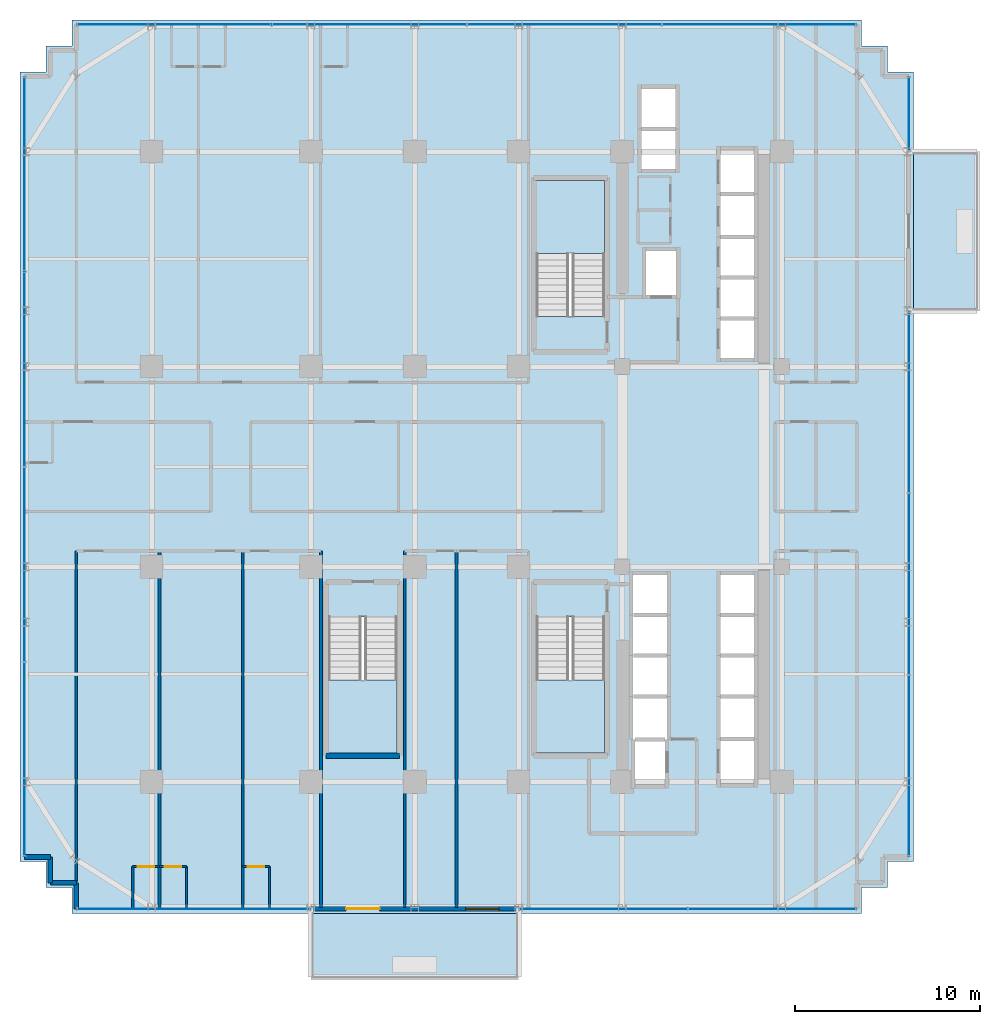
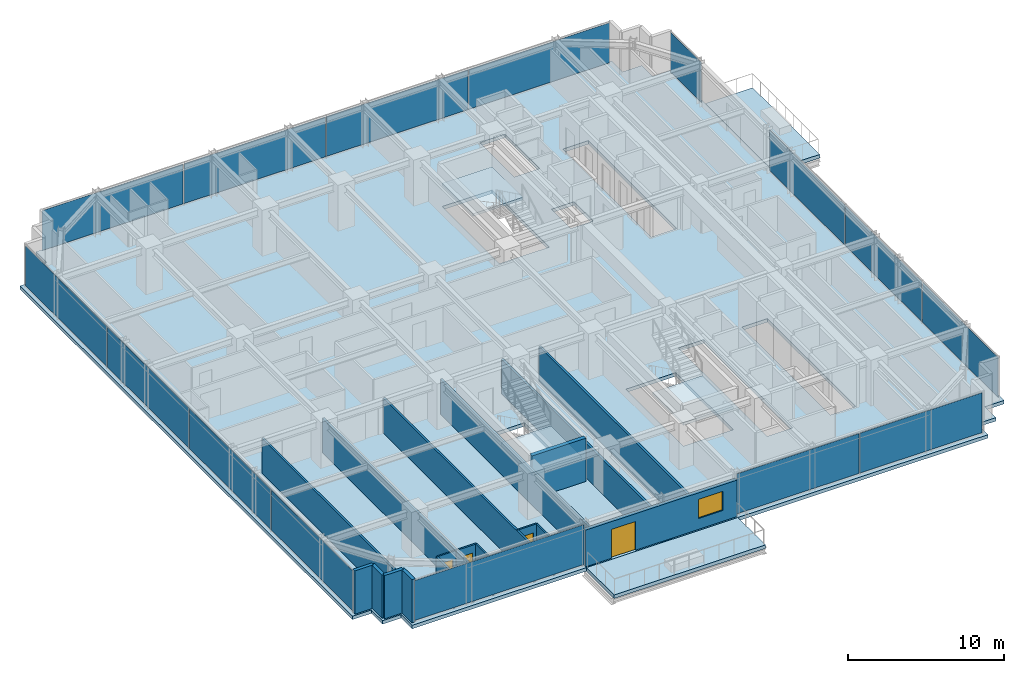
# One storey, part 26 of 33: 18 walls, 15 plates, 6 slabs, 4 doors, 1 window, 5 openings, 9 elements without a shape of their own.
"""IFC4 building model written with IfcOpenShell, lengths in metres."""

from ifc_helpers import new_model, si_unit, direction, frame, frame_2d, origin, origin_2d, place, context, subcontext, project, spatial, polyline, rectangle, outline, extrude, source, transform, mapped, material, layer, layer_set, type_object, element, fill, aggregate, save


model = new_model("IFC4")

# Units and contexts
model_context = context("Model", 3, precision=1e-05, world=origin(), true_north=direction((0.0, 1.0)))
body_context = subcontext(model_context, "Body", "Model", "MODEL_VIEW")
ifc_project = project(units=[si_unit("LENGTHUNIT", "METRE"), si_unit("AREAUNIT", "SQUARE_METRE"), si_unit("VOLUMEUNIT", "CUBIC_METRE"), si_unit("PLANEANGLEUNIT", "RADIAN"), si_unit("MASSUNIT", "GRAM", prefix="KILO")], contexts=[model_context])

# Site, building, storey
site_placement = place(None, origin())
site = spatial("IfcSite", under=ifc_project, at=site_placement, CompositionType="ELEMENT")
building_placement = place(site_placement, origin())
building = spatial("IfcBuilding", under=site, at=building_placement, Name="Nahalor Promenade Grand Hotel", CompositionType="ELEMENT")
storey_placement = place(building_placement, frame((0.0, 0.0, 117.5)))
storey = spatial("IfcBuildingStorey", under=building, at=storey_placement, Name="L29", CompositionType="ELEMENT", Elevation=117.5)

# Stair, slab
ifc_material_1 = material(Name="Concrete B-50 (C40/50)", Category="concrete")
stair_type_1 = type_object("IfcStairType", Name="Stair-ST1", PredefinedType="HALF_TURN_STAIR", material=ifc_material_1)
stair_1_placement = place(storey_placement, origin())
stair_1 = element("IfcStair", 1, at=stair_1_placement, inside=storey, type_object=stair_type_1, Name="L29 ST1", PredefinedType="HALF_TURN_STAIR")
ifc_layer_1 = layer(ifc_material_1, 0.199951171875)
ifc_layer_set_1 = layer_set([ifc_layer_1], Name="Concrete B-50 (C40/50)")
slab_type_1 = type_object("IfcSlabType", Name="Landing-ST1", PredefinedType="LANDING", material=ifc_layer_set_1)
slab_1_placement = place(storey_placement, frame((0.0, 0.0, 1.625)))
slab_1 = element("IfcSlab", 2, at=slab_1_placement, type_object=slab_type_1, Name="ST1 landing 1", PredefinedType="LANDING", context=body_context, shape_type="SweptSolid", body=[
    extrude(outline(polyline([(7.449951171875, 11.5), (7.449951171875, 15.449951171875), (3.75, 15.449951171875), (3.75, 11.5), (7.449951171875, 11.5)])), origin(), (0.0, 0.0, 1.0), 0.199951171875),
])
aggregate(stair_1, [slab_1])

stair_type_2 = type_object("IfcStairType", Name="Stair-ST2", PredefinedType="HALF_TURN_STAIR", material=ifc_material_1)
stair_2_placement = place(storey_placement, origin())
stair_2 = element("IfcStair", 3, at=stair_2_placement, inside=storey, type_object=stair_type_2, Name="L29 ST2", PredefinedType="HALF_TURN_STAIR")
ifc_layer_2 = layer(ifc_material_1, 0.2099609375)
ifc_layer_set_2 = layer_set([ifc_layer_2], Name="Concrete B-50 (C40/50)")
slab_type_2 = type_object("IfcSlabType", Name="Landing-ST2", PredefinedType="LANDING", material=ifc_layer_set_2)
slab_2_placement = place(storey_placement, frame((0.0, 0.0, 1.614990234375)))
slab_2 = element("IfcSlab", 4, at=slab_2_placement, type_object=slab_type_2, Name="ST2 landing 1", PredefinedType="LANDING", context=body_context, shape_type="SweptSolid", body=[
    extrude(outline(polyline([(3.75, -11.5), (3.75, -15.449951171875), (7.449951171875, -15.449951171875), (7.449951171875, -11.5), (3.75, -11.5)])), origin(), (0.0, 0.0, 1.0), 0.2099609375),
])
aggregate(stair_2, [slab_2])

stair_type_3 = type_object("IfcStairType", Name="Stair-ST3", PredefinedType="HALF_TURN_STAIR", material=ifc_material_1)
stair_3_placement = place(storey_placement, origin())
stair_3 = element("IfcStair", 5, at=stair_3_placement, inside=storey, type_object=stair_type_3, Name="L29 ST3", PredefinedType="HALF_TURN_STAIR")
ifc_layer_3 = layer(ifc_material_1, 0.219970703125)
ifc_layer_set_3 = layer_set([ifc_layer_3], Name="Concrete B-50 (C40/50)")
slab_type_3 = type_object("IfcSlabType", Name="Landing-ST3", PredefinedType="LANDING", material=ifc_layer_set_3)
slab_3_placement = place(storey_placement, frame((0.0, 0.0, 1.60498046875)))
slab_3 = element("IfcSlab", 6, at=slab_3_placement, type_object=slab_type_3, Name="ST3 landing 1", PredefinedType="LANDING", context=body_context, shape_type="SweptSolid", body=[
    extrude(outline(polyline([(-7.449951171875, -11.5), (-7.449951171875, -15.449951171875), (-3.75, -15.449951171875), (-3.75, -11.5), (-7.449951171875, -11.5)])), origin(), (0.0, 0.0, 1.0), 0.219970703125),
])
aggregate(stair_3, [slab_3])

# Slabs
ifc_layer_4 = layer(ifc_material_1, 0.280029296875)
ifc_layer_set_4 = layer_set([ifc_layer_4], Name="Concrete B-50 (C40/50)")
slab_type_4 = type_object("IfcSlabType", Name="Slab-Balcony-280", PredefinedType="FLOOR", material=ifc_layer_set_4)
slab_4_placement = place(storey_placement, frame((0.0, 0.0, -0.280029296875)))
element("IfcSlab", 7, at=slab_4_placement, inside=storey, type_object=slab_type_4, Name="L29 Cantilevered Planted Balcony 1", PredefinedType="FLOOR", context=body_context, shape_type="SweptSolid", body=[
    extrude(outline(polyline([(-8.39990234375, -27.6298828125), (2.800048828125, -27.6298828125), (2.800048828125, -24.10009765625), (-8.39990234375, -24.10009765625), (-8.39990234375, -27.6298828125)])), origin(), (0.0, 0.0, 1.0), 0.280029296875),
])
slab_5_placement = place(storey_placement, frame((0.0, 0.0, -0.280029296875)))
element("IfcSlab", 8, at=slab_5_placement, inside=storey, type_object=slab_type_4, Name="L29 Cantilevered Planted Balcony 2", PredefinedType="FLOOR", context=body_context, shape_type="SweptSolid", body=[
    extrude(outline(polyline([(24.10009765625, 8.39990234375), (27.6201171875, 8.39990234375), (27.6201171875, 17.0), (24.10009765625, 17.0), (24.10009765625, 8.39990234375)])), origin(), (0.0, 0.0, 1.0), 0.280029296875),
])
ifc_layer_5 = layer(ifc_material_1, 0.27001953125)
ifc_layer_set_5 = layer_set([ifc_layer_5], Name="Concrete B-50 (C40/50)")
slab_type_5 = type_object("IfcSlabType", Name="Slab-TowerZ2-270", PredefinedType="FLOOR", material=ifc_layer_set_5)
slab_6_placement = place(storey_placement, frame((0.0, 0.0, -0.27001953125)))
element("IfcSlab", 9, at=slab_6_placement, inside=storey, type_object=slab_type_5, Name="L29 Suspended Structural Floor Slab", PredefinedType="FLOOR", context=body_context, shape_type="SweptSolid", body=[
    extrude(outline(polyline([(-21.300048828125, -24.10009765625), (21.300048828125, -24.10009765625), (21.300048828125, -22.699951171875), (22.699951171875, -22.699951171875), (22.699951171875, -21.300048828125), (24.10009765625, -21.300048828125), (24.10009765625, 21.300048828125), (22.699951171875, 21.300048828125), (22.699951171875, 22.699951171875), (21.300048828125, 22.699951171875), (21.300048828125, 24.10009765625), (-21.300048828125, 24.10009765625), (-21.300048828125, 22.699951171875), (-22.699951171875, 22.699951171875), (-22.699951171875, 21.300048828125), (-24.10009765625, 21.300048828125), (-24.10009765625, -21.300048828125), (-22.699951171875, -21.300048828125), (-22.699951171875, -22.699951171875), (-21.300048828125, -22.699951171875), (-21.300048828125, -24.10009765625)]), holes=[polyline([(3.75, 8.10009765625), (7.449951171875, 8.10009765625), (7.449951171875, 15.449951171875), (3.75, 15.449951171875), (3.75, 8.10009765625)]), polyline([(3.75, -15.449951171875), (7.449951171875, -15.449951171875), (7.449951171875, -8.10009765625), (3.75, -8.10009765625), (3.75, -15.449951171875)]), polyline([(-7.449951171875, -15.449951171875), (-3.75, -15.449951171875), (-3.75, -8.10009765625), (-7.449951171875, -8.10009765625), (-7.449951171875, -15.449951171875)]), polyline([(13.659912109375, 5.81005859375), (15.5400390625, 5.81005859375), (15.5400390625, 17.139892578125), (13.659912109375, 17.139892578125), (13.659912109375, 5.81005859375)]), polyline([(13.659912109375, -17.139892578125), (15.5400390625, -17.139892578125), (15.5400390625, -5.81005859375), (13.659912109375, -5.81005859375), (13.659912109375, -17.139892578125)]), polyline([(8.9599609375, -17.18994140625), (10.840087890625, -17.18994140625), (10.840087890625, -5.81005859375), (8.9599609375, -5.81005859375), (8.9599609375, -17.18994140625)]), polyline([(9.409912109375, 16.010009765625), (11.2900390625, 16.010009765625), (11.2900390625, 20.43994140625), (9.409912109375, 20.43994140625), (9.409912109375, 16.010009765625)]), polyline([(9.659912109375, 9.2099609375), (11.340087890625, 9.2099609375), (11.340087890625, 11.68994140625), (9.659912109375, 11.68994140625), (9.659912109375, 9.2099609375)])]), origin(), (0.0, 0.0, 1.0), 0.27001953125),
])

# Curtain wall, plate
ifc_material_2 = material(Name="Anodised Bronze Aluminium EN AW-6063 T6", Category="aluminium")
curtain_wall_type = type_object("IfcCurtainWallType", Name="CW2 Typical Hotel Flush Bronze Unitised Curtain Wall", PredefinedType="USERDEFINED", material=ifc_material_2)
curtain_wall_1_placement = place(storey_placement, origin())
curtain_wall_1 = element("IfcCurtainWall", 10, at=curtain_wall_1_placement, inside=storey, type_object=curtain_wall_type, Name="L29 Curtain Wall CW-L29-E-3", ObjectType="UNITISED_CURTAIN_WALL", PredefinedType="USERDEFINED")
ifc_material_3 = material(Name="Low-E Laminated Solar Glass", Category="glass")
ifc_layer_6 = layer(ifc_material_3, 0.028076171875)
ifc_layer_set_6 = layer_set([ifc_layer_6], Name="Low-E Laminated Solar Glass")
plate_type = type_object("IfcPlateType", Name="CWP2 Bronze Low-E Vision IGU 28mm", PredefinedType="CURTAIN_PANEL", material=ifc_layer_set_6)
shared_shape_1 = source(origin(), body_context, "Body", "SweptSolid", [
    extrude(rectangle(XDim=3.929931640625, YDim=0.028076171875, at=origin_2d()), origin(), (0.0, 0.0, 1.0), 3.1201171875),
])
plate_1_placement = place(storey_placement, frame((23.860107421875, 19.030029296875, 0.1298828125), z_axis=(0.0, 0.0, 1.0), x_axis=(0.0, 1.0, 0.0)))
plate_1 = element("IfcPlate", 11, at=plate_1_placement, type_object=plate_type, Name="CW-L29-E-3 Glazing Panel 0-0", PredefinedType="CURTAIN_PANEL", context=body_context, shape_type="MappedRepresentation", body=[
    mapped(shared_shape_1, transform((0.0, 0.0, 0.0), scale=1.0)),
])
aggregate(curtain_wall_1, [plate_1])

# Curtain wall, plates
curtain_wall_2_placement = place(storey_placement, origin())
curtain_wall_2 = element("IfcCurtainWall", 12, at=curtain_wall_2_placement, inside=storey, type_object=curtain_wall_type, Name="L29 Curtain Wall CW-L29-E-1", ObjectType="UNITISED_CURTAIN_WALL", PredefinedType="USERDEFINED")
shared_shape_2 = source(origin(), body_context, "Body", "SweptSolid", [
    extrude(rectangle(XDim=9.722412109375, YDim=0.028076171875, at=origin_2d()), origin(), (0.0, 0.0, 1.0), 3.1201171875),
])
plate_2_placement = place(storey_placement, frame((23.860107421875, -16.1337890625, 0.1298828125), z_axis=(0.0, 0.0, 1.0), x_axis=(0.0, 1.0, 0.0)))
plate_2 = element("IfcPlate", 13, at=plate_2_placement, type_object=plate_type, Name="CW-L29-E-1 Glazing Panel 0-0", PredefinedType="CURTAIN_PANEL", context=body_context, shape_type="MappedRepresentation", body=[
    mapped(shared_shape_2, transform((0.0, 0.0, 0.0), scale=1.0)),
])
plate_3_placement = place(storey_placement, frame((23.860107421875, 3.4736328125, 0.1298828125), z_axis=(0.0, 0.0, 1.0), x_axis=(0.0, 1.0, 0.0)))
plate_3 = element("IfcPlate", 14, at=plate_3_placement, type_object=plate_type, Name="CW-L29-E-1 Glazing Panel 2-0", PredefinedType="CURTAIN_PANEL", context=body_context, shape_type="MappedRepresentation", body=[
    mapped(shared_shape_2, transform((0.0, 0.0, 0.0), scale=1.0)),
])
shared_shape_3 = source(origin(), body_context, "Body", "SweptSolid", [
    extrude(rectangle(XDim=9.7548828125, YDim=0.028076171875, at=origin_2d()), origin(), (0.0, 0.0, 1.0), 3.1201171875),
])
plate_4_placement = place(storey_placement, frame((23.860107421875, -6.330078125, 0.1298828125), z_axis=(0.0, 0.0, 1.0), x_axis=(0.0, 1.0, 0.0)))
plate_4 = element("IfcPlate", 15, at=plate_4_placement, type_object=plate_type, Name="CW-L29-E-1 Glazing Panel 1-0", PredefinedType="CURTAIN_PANEL", context=body_context, shape_type="MappedRepresentation", body=[
    mapped(shared_shape_3, transform((0.0, 0.0, 0.0), scale=1.0)),
])
aggregate(curtain_wall_2, [plate_2, plate_4, plate_3])

curtain_wall_3_placement = place(storey_placement, origin())
curtain_wall_3 = element("IfcCurtainWall", 16, at=curtain_wall_3_placement, inside=storey, type_object=curtain_wall_type, Name="L29 Curtain Wall CW-L29-N-1", ObjectType="UNITISED_CURTAIN_WALL", PredefinedType="USERDEFINED")
shared_shape_4 = source(origin(), body_context, "Body", "SweptSolid", [
    extrude(rectangle(XDim=10.4326171875, YDim=0.028076171875, at=origin_2d()), origin(), (0.0, 0.0, 1.0), 3.1201171875),
])
plate_5_placement = place(storey_placement, frame((-15.77880859375, 23.860107421875, 0.1298828125), z_axis=(0.0, 0.0, 1.0), x_axis=(1.0, 0.0, 0.0)))
plate_5 = element("IfcPlate", 17, at=plate_5_placement, type_object=plate_type, Name="CW-L29-N-1 Glazing Panel 0-0", PredefinedType="CURTAIN_PANEL", context=body_context, shape_type="MappedRepresentation", body=[
    mapped(shared_shape_4, transform((0.0, 0.0, 0.0), scale=1.0)),
])
plate_6_placement = place(storey_placement, frame((15.77880859375, 23.860107421875, 0.1298828125), z_axis=(0.0, 0.0, 1.0), x_axis=(1.0, 0.0, 0.0)))
plate_6 = element("IfcPlate", 18, at=plate_6_placement, type_object=plate_type, Name="CW-L29-N-1 Glazing Panel 3-0", PredefinedType="CURTAIN_PANEL", context=body_context, shape_type="MappedRepresentation", body=[
    mapped(shared_shape_4, transform((0.0, 0.0, 0.0), scale=1.0)),
])

curtain_wall_4_placement = place(storey_placement, origin())
curtain_wall_4 = element("IfcCurtainWall", 19, at=curtain_wall_4_placement, inside=storey, type_object=curtain_wall_type, Name="L29 Curtain Wall CW-L29-W-1", ObjectType="UNITISED_CURTAIN_WALL", PredefinedType="USERDEFINED")
plate_7_placement = place(storey_placement, frame((-23.860107421875, -15.77880859375, 0.1298828125), z_axis=(0.0, 0.0, 1.0), x_axis=(0.0, 1.0, 0.0)))
plate_7 = element("IfcPlate", 20, at=plate_7_placement, type_object=plate_type, Name="CW-L29-W-1 Glazing Panel 0-0", PredefinedType="CURTAIN_PANEL", context=body_context, shape_type="MappedRepresentation", body=[
    mapped(shared_shape_4, transform((0.0, 0.0, 0.0), scale=1.0)),
])
plate_8_placement = place(storey_placement, frame((-23.860107421875, 15.77880859375, 0.1298828125), z_axis=(0.0, 0.0, 1.0), x_axis=(0.0, 1.0, 0.0)))
plate_8 = element("IfcPlate", 21, at=plate_8_placement, type_object=plate_type, Name="CW-L29-W-1 Glazing Panel 3-0", PredefinedType="CURTAIN_PANEL", context=body_context, shape_type="MappedRepresentation", body=[
    mapped(shared_shape_4, transform((0.0, 0.0, 0.0), scale=1.0)),
])

# Plate
shared_shape_5 = source(origin(), body_context, "Body", "SweptSolid", [
    extrude(rectangle(XDim=10.465087890625, YDim=0.028076171875, at=origin_2d()), origin(), (0.0, 0.0, 1.0), 3.1201171875),
])
plate_9_placement = place(storey_placement, frame((-5.264892578125, 23.860107421875, 0.1298828125), z_axis=(0.0, 0.0, 1.0), x_axis=(1.0, 0.0, 0.0)))
plate_9 = element("IfcPlate", 22, at=plate_9_placement, type_object=plate_type, Name="CW-L29-N-1 Glazing Panel 1-0", PredefinedType="CURTAIN_PANEL", context=body_context, shape_type="MappedRepresentation", body=[
    mapped(shared_shape_5, transform((0.0, 0.0, 0.0), scale=1.0)),
])

plate_10_placement = place(storey_placement, frame((5.264892578125, 23.860107421875, 0.1298828125), z_axis=(0.0, 0.0, 1.0), x_axis=(1.0, 0.0, 0.0)))
plate_10 = element("IfcPlate", 23, at=plate_10_placement, type_object=plate_type, Name="CW-L29-N-1 Glazing Panel 2-0", PredefinedType="CURTAIN_PANEL", context=body_context, shape_type="MappedRepresentation", body=[
    mapped(shared_shape_5, transform((0.0, 0.0, 0.0), scale=1.0)),
])

aggregate(curtain_wall_3, [plate_5, plate_9, plate_10, plate_6])

plate_11_placement = place(storey_placement, frame((-23.860107421875, -5.264892578125, 0.1298828125), z_axis=(0.0, 0.0, 1.0), x_axis=(0.0, 1.0, 0.0)))
plate_11 = element("IfcPlate", 24, at=plate_11_placement, type_object=plate_type, Name="CW-L29-W-1 Glazing Panel 1-0", PredefinedType="CURTAIN_PANEL", context=body_context, shape_type="MappedRepresentation", body=[
    mapped(shared_shape_5, transform((0.0, 0.0, 0.0), scale=1.0)),
])

plate_12_placement = place(storey_placement, frame((-23.860107421875, 5.264892578125, 0.1298828125), z_axis=(0.0, 0.0, 1.0), x_axis=(0.0, 1.0, 0.0)))
plate_12 = element("IfcPlate", 25, at=plate_12_placement, type_object=plate_type, Name="CW-L29-W-1 Glazing Panel 2-0", PredefinedType="CURTAIN_PANEL", context=body_context, shape_type="MappedRepresentation", body=[
    mapped(shared_shape_5, transform((0.0, 0.0, 0.0), scale=1.0)),
])

aggregate(curtain_wall_4, [plate_7, plate_11, plate_12, plate_8])

# Curtain wall, plate
curtain_wall_5_placement = place(storey_placement, origin())
curtain_wall_5 = element("IfcCurtainWall", 26, at=curtain_wall_5_placement, inside=storey, type_object=curtain_wall_type, Name="L29 Curtain Wall CW-L29-S-1", ObjectType="UNITISED_CURTAIN_WALL", PredefinedType="USERDEFINED")
shared_shape_6 = source(origin(), body_context, "Body", "SweptSolid", [
    extrude(rectangle(XDim=12.530029296875, YDim=0.028076171875, at=origin_2d()), origin(), (0.0, 0.0, 1.0), 3.1201171875),
])
plate_13_placement = place(storey_placement, frame((-14.72998046875, -23.860107421875, 0.1298828125), z_axis=(0.0, 0.0, 1.0), x_axis=(1.0, 0.0, 0.0)))
plate_13 = element("IfcPlate", 27, at=plate_13_placement, type_object=plate_type, Name="CW-L29-S-1 Glazing Panel 0-0", PredefinedType="CURTAIN_PANEL", context=body_context, shape_type="MappedRepresentation", body=[
    mapped(shared_shape_6, transform((0.0, 0.0, 0.0), scale=1.0)),
])
aggregate(curtain_wall_5, [plate_13])

# Curtain wall, plates
curtain_wall_6_placement = place(storey_placement, origin())
curtain_wall_6 = element("IfcCurtainWall", 28, at=curtain_wall_6_placement, inside=storey, type_object=curtain_wall_type, Name="L29 Curtain Wall CW-L29-S-3", ObjectType="UNITISED_CURTAIN_WALL", PredefinedType="USERDEFINED")
shared_shape_7 = source(origin(), body_context, "Body", "SweptSolid", [
    extrude(rectangle(XDim=9.032470703125, YDim=0.028076171875, at=origin_2d()), origin(), (0.0, 0.0, 1.0), 3.1201171875),
])
plate_14_placement = place(storey_placement, frame((7.38134765625, -23.860107421875, 0.1298828125), z_axis=(0.0, 0.0, 1.0), x_axis=(1.0, 0.0, 0.0)))
plate_14 = element("IfcPlate", 29, at=plate_14_placement, type_object=plate_type, Name="CW-L29-S-3 Glazing Panel 0-0", PredefinedType="CURTAIN_PANEL", context=body_context, shape_type="MappedRepresentation", body=[
    mapped(shared_shape_7, transform((0.0, 0.0, 0.0), scale=1.0)),
])
plate_15_placement = place(storey_placement, frame((16.478759765625, -23.860107421875, 0.1298828125), z_axis=(0.0, 0.0, 1.0), x_axis=(1.0, 0.0, 0.0)))
plate_15 = element("IfcPlate", 30, at=plate_15_placement, type_object=plate_type, Name="CW-L29-S-3 Glazing Panel 1-0", PredefinedType="CURTAIN_PANEL", context=body_context, shape_type="MappedRepresentation", body=[
    mapped(shared_shape_7, transform((0.0, 0.0, 0.0), scale=1.0)),
])
aggregate(curtain_wall_6, [plate_14, plate_15])

# Walls
ifc_layer_7 = layer(ifc_material_1, 0.300048828125)
ifc_layer_set_7 = layer_set([ifc_layer_7], Name="Concrete B-50 (C40/50)")
wall_type_1 = type_object("IfcWallType", Name="Wall-ShaftShear-300", PredefinedType="SHEAR", material=ifc_layer_set_7)
shared_shape_8 = source(origin(), body_context, "Body", "SweptSolid", [
    extrude(rectangle(XDim=3.97998046875, YDim=0.300048828125, at=frame_2d((1.989990234375, 0.0))), origin(), (0.0, 0.0, 1.0), 3.3798828125),
])
wall_1_placement = place(storey_placement, frame((-7.590087890625, -15.590087890625, 0.0), z_axis=(0.0, 0.0, 1.0), x_axis=(1.0, 0.0, 0.0)))
element("IfcWall", 31, at=wall_1_placement, inside=storey, type_object=wall_type_1, Name="L29 Exit Stair ST3 Shaft Wall S", PredefinedType="SHEAR", context=body_context, shape_type="MappedRepresentation", body=[
    mapped(shared_shape_8, transform((0.0, 0.0, 0.0), scale=1.0)),
])
ifc_material_4 = material(Name="Concrete B-40 (C32/40)", Category="concrete")
ifc_layer_8 = layer(ifc_material_4, 0.25)
ifc_layer_set_8 = layer_set([ifc_layer_8], Name="Concrete B-40 (C32/40)")
wall_type_2 = type_object("IfcWallType", Name="Wall-BronzePier-250", PredefinedType="STANDARD", material=ifc_layer_set_8)
shared_shape_9 = source(origin(), body_context, "Body", "SweptSolid", [
    extrude(rectangle(XDim=1.400146484375, YDim=0.25, at=frame_2d((0.7001953125, 0.0))), origin(), (0.0, 0.0, 1.0), 3.3798828125),
])
for number, where, z_axis, x_axis, name in (
    (32, (-23.860107421875, -21.06005859375, 0.0), (0.0, 0.0, 1.0), (1.0, 0.0, 0.0), "W-L29-SR-13"),
    (33, (-21.06005859375, -23.860107421875, 0.0), (0.0, 0.0, 1.0), (0.0, 1.0, 0.0), "W-L29-SR-16"),
):
    element("IfcWall", number, at=place(storey_placement, frame(where, z_axis=z_axis, x_axis=x_axis)), inside=storey, type_object=wall_type_2, Name=name, PredefinedType="STANDARD", context=body_context, shape_type="MappedRepresentation", body=[
        mapped(shared_shape_9, transform((0.0, 0.0, 0.0), scale=1.0)),
    ])
shared_shape_10 = source(origin(), body_context, "Body", "SweptSolid", [
    extrude(rectangle(XDim=1.39990234375, YDim=0.25, at=frame_2d((0.699951171875, 0.0))), origin(), (0.0, 0.0, 1.0), 3.3798828125),
])
for number, where, z_axis, x_axis, name in (
    (34, (-22.4599609375, -22.4599609375, 0.0), (0.0, 0.0, 1.0), (0.0, 1.0, 0.0), "W-L29-SR-14"),
    (35, (-22.4599609375, -22.4599609375, 0.0), (0.0, 0.0, 1.0), (1.0, 0.0, 0.0), "W-L29-SR-15"),
):
    element("IfcWall", number, at=place(storey_placement, frame(where, z_axis=z_axis, x_axis=x_axis)), inside=storey, type_object=wall_type_2, Name=name, PredefinedType="STANDARD", context=body_context, shape_type="MappedRepresentation", body=[
        mapped(shared_shape_10, transform((0.0, 0.0, 0.0), scale=1.0)),
    ])

# Wall, openings, door, window
ifc_layer_9 = layer(ifc_material_4, 0.260009765625)
ifc_layer_set_9 = layer_set([ifc_layer_9], Name="Concrete B-40 (C32/40)")
wall_type_3 = type_object("IfcWallType", Name="Wall-BalconyWall-260", PredefinedType="STANDARD", material=ifc_layer_set_9)
shared_shape_11 = source(origin(), body_context, "Body", "SweptSolid", [
    extrude(rectangle(XDim=11.199951171875, YDim=0.260009765625, at=frame_2d((5.60009765625, 0.0))), origin(), (0.0, 0.0, 1.0), 2.860107421875),
])
wall_2_placement = place(storey_placement, frame((-8.39990234375, -23.860107421875, 0.0), z_axis=(0.0, 0.0, 1.0), x_axis=(1.0, 0.0, 0.0)))
wall_2 = element("IfcWall", 36, at=wall_2_placement, inside=storey, type_object=wall_type_3, Name="W-L29-BALC-S-2", PredefinedType="STANDARD", context=body_context, shape_type="MappedRepresentation", body=[
    mapped(shared_shape_11, transform((0.0, 0.0, 0.0), scale=1.0)),
])
opening_1_placement = place(wall_2_placement, frame((1.89990234375, 0.0, 0.0)))
opening_1 = element("IfcOpeningElement", 37, at=opening_1_placement, cuts=wall_2, Name="Opening D-BC1", PredefinedType="OPENING", context=body_context, shape_type="SweptSolid", body=[
    extrude(rectangle(XDim=1.800048828125, YDim=2.25, at=frame_2d((0.89990234375, 1.125))), frame((0.0, 0.139892578125, 0.0), z_axis=(0.0, -1.0, 0.0), x_axis=(1.0, 0.0, 0.0)), (0.0, 0.0, 1.0), 0.280029296875),
])
opening_2_placement = place(wall_2_placement, frame((8.35009765625, 0.0, 0.85009765625)))
opening_2 = element("IfcOpeningElement", 38, at=opening_2_placement, cuts=wall_2, Name="Opening WN-01", PredefinedType="OPENING", context=body_context, shape_type="SweptSolid", body=[
    extrude(rectangle(XDim=1.800048828125, YDim=1.5, at=frame_2d((0.89990234375, 0.75))), frame((0.0, 0.139892578125, 0.0), z_axis=(0.0, -1.0, 0.0), x_axis=(1.0, 0.0, 0.0)), (0.0, 0.0, 1.0), 0.280029296875),
])
door_type_1 = type_object("IfcDoorType", Name="Door-BalconySlide-1800", OperationType="DOUBLE_DOOR_SLIDING", PredefinedType="DOOR", material=ifc_material_2)
shared_shape_12 = source(origin(), body_context, "Body", "SweptSolid", [
    extrude(rectangle(XDim=1.800048828125, YDim=2.25, at=frame_2d((0.89990234375, 1.125))), frame((0.0, 0.02490234375, 0.0), z_axis=(0.0, -1.0, 0.0), x_axis=(1.0, 0.0, 0.0)), (0.0, 0.0, 1.0), 0.050048828125),
])
door_1_placement = place(opening_1_placement, frame((1.800048828125, 0.0, 0.0), z_axis=(0.0, 0.0, 1.0), x_axis=(-1.0, 0.0, 0.0)))
door_1 = element("IfcDoor", 39, at=door_1_placement, inside=storey, type_object=door_type_1, Name="DR-L29-BALC-S-2", OperationType="DOUBLE_DOOR_SLIDING", OverallHeight=2.25, OverallWidth=1.800048828125, PredefinedType="DOOR", context=body_context, shape_type="MappedRepresentation", body=[
    mapped(shared_shape_12, transform((0.0, 0.0, 0.0), scale=1.0)),
])
fill(opening_1, door_1)
window_type = type_object("IfcWindowType", Name="Win-ChicagoBay-1800x1500", PartitioningType="SINGLE_PANEL", PredefinedType="WINDOW", material=ifc_material_3)
shared_shape_13 = source(origin(), body_context, "Body", "SweptSolid", [
    extrude(rectangle(XDim=1.800048828125, YDim=1.5, at=frame_2d((0.89990234375, 0.75))), frame((0.0, 0.030029296875, 0.0), z_axis=(0.0, -1.0, 0.0), x_axis=(1.0, 0.0, 0.0)), (0.0, 0.0, 1.0), 0.06005859375),
])
window_placement = place(opening_2_placement, origin())
window = element("IfcWindow", 40, at=window_placement, inside=storey, type_object=window_type, Name="WN-L29-BALC-S-2-1", OverallHeight=1.5, OverallWidth=1.800048828125, PartitioningType="SINGLE_PANEL", PredefinedType="WINDOW", context=body_context, shape_type="MappedRepresentation", body=[
    mapped(shared_shape_13, transform((0.0, 0.0, 0.0), scale=1.0)),
])
fill(opening_2, window)

# Walls
ifc_material_5 = material(Name="Acoustic Mineral Gypsum", Category="gypsum")
ifc_layer_10 = layer(ifc_material_5, 0.159912109375)
ifc_layer_set_10 = layer_set([ifc_layer_10], Name="Acoustic Mineral Gypsum")
wall_type_4 = type_object("IfcWallType", Name="Wall-PartCorridor-160", PredefinedType="PARTITIONING", material=ifc_layer_set_10)
shared_shape_14 = source(origin(), body_context, "Body", "SweptSolid", [
    extrude(rectangle(XDim=19.25, YDim=0.159912109375, at=frame_2d((9.625, 0.0))), origin(), (0.0, 0.0, 1.0), 2.719970703125),
])
for number, where, z_axis, x_axis, name in (
    (41, (-3.340087890625, -23.800048828125, 0.0), (0.0, 0.0, 1.0), (0.0, 1.0, 0.0), "W-L29-SCB1-W"),
    (42, (-0.550048828125, -23.800048828125, 0.0), (0.0, 0.0, 1.0), (0.0, 1.0, 0.0), "W-L29-SCB1-E"),
):
    element("IfcWall", number, at=place(storey_placement, frame(where, z_axis=z_axis, x_axis=x_axis)), inside=storey, type_object=wall_type_4, Name=name, PredefinedType="PARTITIONING", context=body_context, shape_type="MappedRepresentation", body=[
        mapped(shared_shape_14, transform((0.0, 0.0, 0.0), scale=1.0)),
    ])
ifc_layer_11 = layer(ifc_material_5, 0.139892578125)
ifc_layer_set_11 = layer_set([ifc_layer_11], Name="Acoustic Mineral Gypsum")
wall_type_5 = type_object("IfcWallType", Name="Wall-PartSuite-140", PredefinedType="PARTITIONING", material=ifc_layer_set_11)
shared_shape_15 = source(origin(), body_context, "Body", "SweptSolid", [
    extrude(rectangle(XDim=17.829833984375, YDim=0.139892578125, at=frame_2d((8.9150390625, 0.0))), origin(), (0.0, 0.0, 1.0), 2.719970703125),
])
wall_3_placement = place(storey_placement, frame((-21.06005859375, -22.3798828125, 0.0), z_axis=(0.0, 0.0, 1.0), x_axis=(0.0, 1.0, 0.0)))
element("IfcWall", 43, at=wall_3_placement, inside=storey, type_object=wall_type_5, Name="W-L29-SW-ENDW", PredefinedType="PARTITIONING", context=body_context, shape_type="MappedRepresentation", body=[
    mapped(shared_shape_15, transform((0.0, 0.0, 0.0), scale=1.0)),
])
shared_shape_16 = source(origin(), body_context, "Body", "SweptSolid", [
    extrude(rectangle(XDim=19.25, YDim=0.139892578125, at=frame_2d((9.625, 0.0))), origin(), (0.0, 0.0, 1.0), 2.719970703125),
])
for number, where, z_axis, x_axis, name in (
    (44, (-7.860107421875, -23.800048828125, 0.0), (0.0, 0.0, 1.0), (0.0, 1.0, 0.0), "W-L29-SW-ENDE"),
    (45, (-16.572021484375, -23.800048828125, 0.0), (0.0, 0.0, 1.0), (0.0, 1.0, 0.0), "W-L29-SP-1"),
    (46, (-12.083984375, -23.800048828125, 0.0), (0.0, 0.0, 1.0), (0.0, 1.0, 0.0), "W-L29-SP-2"),
):
    element("IfcWall", number, at=place(storey_placement, frame(where, z_axis=z_axis, x_axis=x_axis)), inside=storey, type_object=wall_type_5, Name=name, PredefinedType="PARTITIONING", context=body_context, shape_type="MappedRepresentation", body=[
        mapped(shared_shape_16, transform((0.0, 0.0, 0.0), scale=1.0)),
    ])
ifc_layer_12 = layer(ifc_material_5, 0.1201171875)
ifc_layer_set_12 = layer_set([ifc_layer_12], Name="Acoustic Mineral Gypsum")
wall_type_6 = type_object("IfcWallType", Name="Wall-PartBath-120", PredefinedType="PARTITIONING", material=ifc_layer_set_12)
shared_shape_17 = source(origin(), body_context, "Body", "SweptSolid", [
    extrude(rectangle(XDim=2.219970703125, YDim=0.1201171875, at=frame_2d((1.10986328125, 0.0))), origin(), (0.0, 0.0, 1.0), 2.719970703125),
])
for number, where, z_axis, x_axis, name in (
    (47, (-18.02197265625, -23.800048828125, 0.0), (0.0, 0.0, 1.0), (0.0, 1.0, 0.0), "W-L29-S1-BV"),
    (48, (-15.1220703125, -23.800048828125, 0.0), (0.0, 0.0, 1.0), (0.0, 1.0, 0.0), "W-L29-S2-BV"),
    (49, (-10.634033203125, -23.800048828125, 0.0), (0.0, 0.0, 1.0), (0.0, 1.0, 0.0), "W-L29-S3-BV"),
):
    element("IfcWall", number, at=place(storey_placement, frame(where, z_axis=z_axis, x_axis=x_axis)), inside=storey, type_object=wall_type_6, Name=name, PredefinedType="PARTITIONING", context=body_context, shape_type="MappedRepresentation", body=[
        mapped(shared_shape_17, transform((0.0, 0.0, 0.0), scale=1.0)),
    ])

# Wall, opening, door
shared_shape_18 = source(origin(), body_context, "Body", "SweptSolid", [
    extrude(rectangle(XDim=1.449951171875, YDim=0.1201171875, at=frame_2d((0.72509765625, 0.0))), origin(), (0.0, 0.0, 1.0), 2.719970703125),
])
wall_4_placement = place(storey_placement, frame((-18.02197265625, -21.580078125, 0.0), z_axis=(0.0, 0.0, 1.0), x_axis=(1.0, 0.0, 0.0)))
wall_4 = element("IfcWall", 50, at=wall_4_placement, inside=storey, type_object=wall_type_6, Name="W-L29-S1-BH", PredefinedType="PARTITIONING", context=body_context, shape_type="MappedRepresentation", body=[
    mapped(shared_shape_18, transform((0.0, 0.0, 0.0), scale=1.0)),
])
opening_3_placement = place(wall_4_placement, frame((0.284912109375, 0.0, 0.0)))
opening_3 = element("IfcOpeningElement", 51, at=opening_3_placement, cuts=wall_4, Name="Opening D-03", PredefinedType="OPENING", context=body_context, shape_type="SweptSolid", body=[
    extrude(rectangle(XDim=0.8798828125, YDim=2.10009765625, at=frame_2d((0.43994140625, 1.050048828125))), frame((0.0, 0.070068359375, 0.0), z_axis=(0.0, -1.0, 0.0), x_axis=(1.0, 0.0, 0.0)), (0.0, 0.0, 1.0), 0.14013671875),
])
ifc_material_6 = material(Name="Fire-Rated Timber Composite", Category="wood")
door_type_2 = type_object("IfcDoorType", Name="Door-BathSwing-880", OperationType="NOTDEFINED", PredefinedType="DOOR", material=ifc_material_6)
shared_shape_19 = source(origin(), body_context, "Body", "SweptSolid", [
    extrude(rectangle(XDim=0.8798828125, YDim=2.10009765625, at=frame_2d((0.43994140625, 1.050048828125))), frame((0.0, 0.02490234375, 0.0), z_axis=(0.0, -1.0, 0.0), x_axis=(1.0, 0.0, 0.0)), (0.0, 0.0, 1.0), 0.050048828125),
])
door_2_placement = place(opening_3_placement, frame((0.8798828125, 0.0, 0.0), z_axis=(0.0, 0.0, 1.0), x_axis=(-1.0, 0.0, 0.0)))
door_2 = element("IfcDoor", 52, at=door_2_placement, inside=storey, type_object=door_type_2, Name="DR-L29-S1-BATH", OperationType="SINGLE_SWING_LEFT", OverallHeight=2.10009765625, OverallWidth=0.8798828125, PredefinedType="DOOR", context=body_context, shape_type="MappedRepresentation", body=[
    mapped(shared_shape_19, transform((0.0, 0.0, 0.0), scale=1.0)),
])
fill(opening_3, door_2)

wall_5_placement = place(storey_placement, frame((-16.572021484375, -21.580078125, 0.0), z_axis=(0.0, 0.0, 1.0), x_axis=(1.0, 0.0, 0.0)))
wall_5 = element("IfcWall", 53, at=wall_5_placement, inside=storey, type_object=wall_type_6, Name="W-L29-S2-BH", PredefinedType="PARTITIONING", context=body_context, shape_type="MappedRepresentation", body=[
    mapped(shared_shape_18, transform((0.0, 0.0, 0.0), scale=1.0)),
])
opening_4_placement = place(wall_5_placement, frame((0.284912109375, 0.0, 0.0)))
opening_4 = element("IfcOpeningElement", 54, at=opening_4_placement, cuts=wall_5, Name="Opening D-03", PredefinedType="OPENING", context=body_context, shape_type="SweptSolid", body=[
    extrude(rectangle(XDim=0.8798828125, YDim=2.10009765625, at=frame_2d((0.43994140625, 1.050048828125))), frame((0.0, 0.070068359375, 0.0), z_axis=(0.0, -1.0, 0.0), x_axis=(1.0, 0.0, 0.0)), (0.0, 0.0, 1.0), 0.14013671875),
])
door_3_placement = place(opening_4_placement, frame((0.8798828125, 0.0, 0.0), z_axis=(0.0, 0.0, 1.0), x_axis=(-1.0, 0.0, 0.0)))
door_3 = element("IfcDoor", 55, at=door_3_placement, inside=storey, type_object=door_type_2, Name="DR-L29-S2-BATH", OperationType="SINGLE_SWING_LEFT", OverallHeight=2.10009765625, OverallWidth=0.8798828125, PredefinedType="DOOR", context=body_context, shape_type="MappedRepresentation", body=[
    mapped(shared_shape_19, transform((0.0, 0.0, 0.0), scale=1.0)),
])
fill(opening_4, door_3)

wall_6_placement = place(storey_placement, frame((-12.083984375, -21.580078125, 0.0), z_axis=(0.0, 0.0, 1.0), x_axis=(1.0, 0.0, 0.0)))
wall_6 = element("IfcWall", 56, at=wall_6_placement, inside=storey, type_object=wall_type_6, Name="W-L29-S3-BH", PredefinedType="PARTITIONING", context=body_context, shape_type="MappedRepresentation", body=[
    mapped(shared_shape_18, transform((0.0, 0.0, 0.0), scale=1.0)),
])
opening_5_placement = place(wall_6_placement, frame((0.284912109375, 0.0, 0.0)))
opening_5 = element("IfcOpeningElement", 57, at=opening_5_placement, cuts=wall_6, Name="Opening D-03", PredefinedType="OPENING", context=body_context, shape_type="SweptSolid", body=[
    extrude(rectangle(XDim=0.8798828125, YDim=2.10009765625, at=frame_2d((0.43994140625, 1.050048828125))), frame((0.0, 0.070068359375, 0.0), z_axis=(0.0, -1.0, 0.0), x_axis=(1.0, 0.0, 0.0)), (0.0, 0.0, 1.0), 0.14013671875),
])
door_4_placement = place(opening_5_placement, frame((0.8798828125, 0.0, 0.0), z_axis=(0.0, 0.0, 1.0), x_axis=(-1.0, 0.0, 0.0)))
door_4 = element("IfcDoor", 58, at=door_4_placement, inside=storey, type_object=door_type_2, Name="DR-L29-S3-BATH", OperationType="SINGLE_SWING_LEFT", OverallHeight=2.10009765625, OverallWidth=0.8798828125, PredefinedType="DOOR", context=body_context, shape_type="MappedRepresentation", body=[
    mapped(shared_shape_19, transform((0.0, 0.0, 0.0), scale=1.0)),
])
fill(opening_5, door_4)

save(model, "model.ifc")
